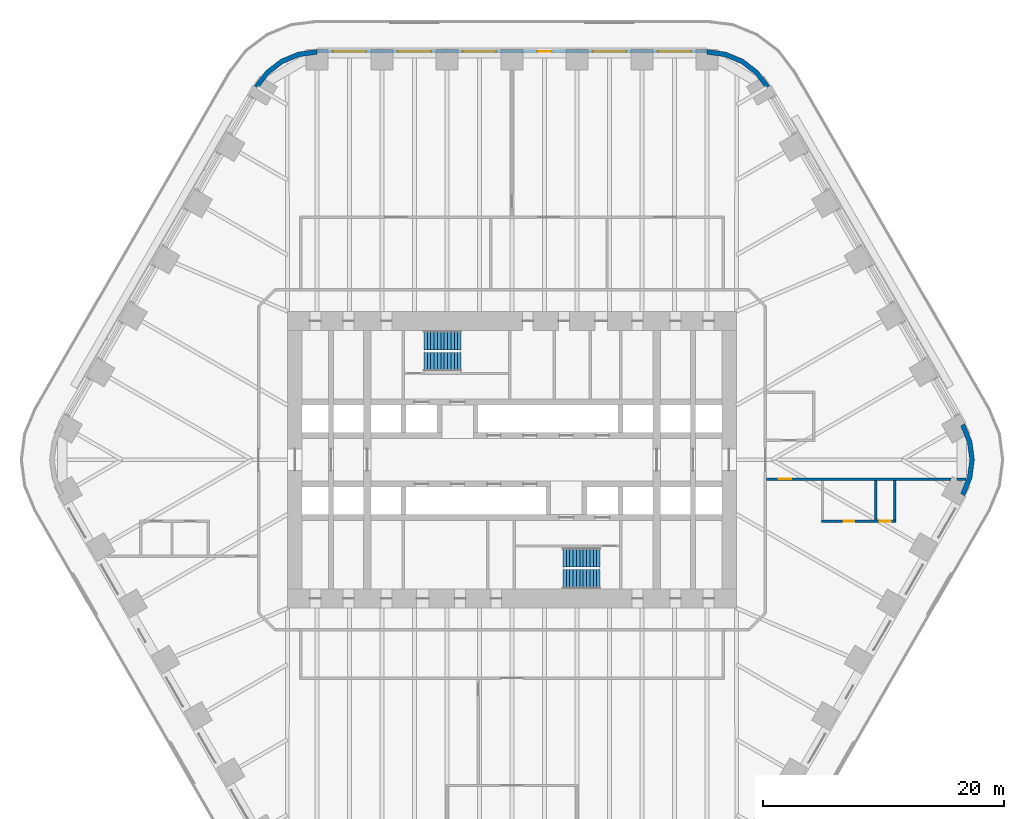
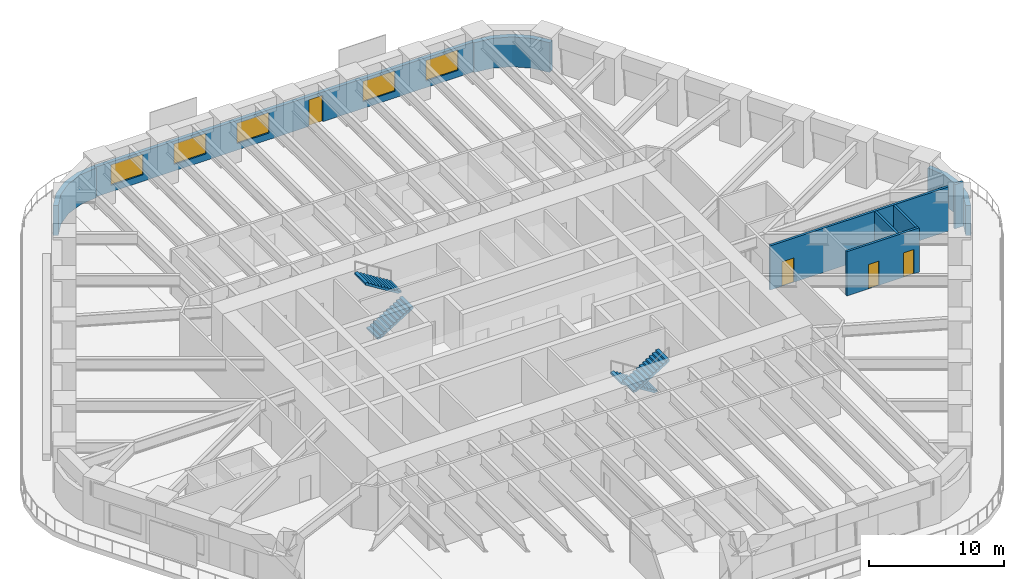
# One storey, part 20 of 23: 9 walls, 5 windows, 4 doors, 4 stair flights, 9 openings, 2 elements without a shape of their own.
"""IFC4 building model written with IfcOpenShell, lengths in metres."""

from ifc_helpers import new_model, si_unit, direction, frame, frame_2d, origin, place, context, subcontext, project, spatial, polyline, rectangle, outline, extrude, material, layer, layer_set, type_object, element, fill, aggregate, save


model = new_model("IFC4")

# Units and contexts
model_context = context("Model", 3, precision=1e-05, world=origin(), true_north=direction((0.0, 1.0)))
body_context = subcontext(model_context, "Body", "Model", "MODEL_VIEW")
ifc_project = project(units=[si_unit("LENGTHUNIT", "METRE"), si_unit("AREAUNIT", "SQUARE_METRE"), si_unit("VOLUMEUNIT", "CUBIC_METRE"), si_unit("PLANEANGLEUNIT", "RADIAN"), si_unit("MASSUNIT", "GRAM", prefix="KILO")], contexts=[model_context])

# Site, building, storey
site_placement = place(None, origin())
site = spatial("IfcSite", under=ifc_project, at=site_placement, CompositionType="ELEMENT")
building_placement = place(site_placement, origin())
building = spatial("IfcBuilding", under=site, at=building_placement, Name="Tarfa Lantern Tower", CompositionType="ELEMENT")
storey_placement = place(building_placement, frame((0.0, 0.0, 99.10009765625)))
storey = spatial("IfcBuildingStorey", under=building, at=storey_placement, Name="L22", CompositionType="ELEMENT", Elevation=99.10009765625)

# Wall, openings, door, windows
ifc_material_1 = material(Name="Limestone cladding on blockwork", Category="masonry")
ifc_layer_1 = layer(ifc_material_1, 0.300048828125)
ifc_layer_set_1 = layer_set([ifc_layer_1], Name="EW1 STONE-CLAD WALL 300")
wall_type_1 = type_object("IfcWallType", Name="EW1 STONE-CLAD WALL 300", PredefinedType="SOLIDWALL", material=ifc_layer_set_1)
wall_1_placement = place(storey_placement, frame((16.165771484375, 33.85009765625, 0.0), z_axis=(0.0, 0.0, 1.0), x_axis=(-1.0, 0.0, 0.0)))
wall_1 = element("IfcWall", 1, at=wall_1_placement, inside=storey, type_object=wall_type_1, Name="Stone wall N", PredefinedType="SOLIDWALL", context=body_context, shape_type="SweptSolid", body=[
    extrude(rectangle(XDim=32.33154296875, YDim=0.300048828125, at=frame_2d((16.165771484375, 0.0))), origin(), (0.0, 0.0, 1.0), 2.699951171875),
])
opening_1_placement = place(wall_1_placement, frame((1.3193359375, 0.0, 0.60009765625)))
opening_1 = element("IfcOpeningElement", 2, at=opening_1_placement, cuts=wall_1, Name="Opening W2", PredefinedType="OPENING", context=body_context, shape_type="SweptSolid", body=[
    extrude(rectangle(XDim=2.75, YDim=1.85009765625, at=frame_2d((1.375, 0.925048828125))), frame((0.0, 0.159912109375, 0.0), z_axis=(0.0, -1.0, 0.0), x_axis=(1.0, 0.0, 0.0)), (0.0, 0.0, 1.0), 0.320068359375),
])
opening_2_placement = place(wall_1_placement, frame((6.7080078125, 0.0, 0.60009765625)))
opening_2 = element("IfcOpeningElement", 3, at=opening_2_placement, cuts=wall_1, Name="Opening W2", PredefinedType="OPENING", context=body_context, shape_type="SweptSolid", body=[
    extrude(rectangle(XDim=2.75, YDim=1.85009765625, at=frame_2d((1.375, 0.925048828125))), frame((0.0, 0.159912109375, 0.0), z_axis=(0.0, -1.0, 0.0), x_axis=(1.0, 0.0, 0.0)), (0.0, 0.0, 1.0), 0.320068359375),
])
opening_3_placement = place(wall_1_placement, frame((12.87158203125, 0.0, 0.0)))
opening_3 = element("IfcOpeningElement", 4, at=opening_3_placement, cuts=wall_1, Name="Opening D45", PredefinedType="OPENING", context=body_context, shape_type="SweptSolid", body=[
    extrude(rectangle(XDim=1.199951171875, YDim=2.39990234375, at=frame_2d((0.60009765625, 1.199951171875))), frame((0.0, 0.159912109375, 0.0), z_axis=(0.0, -1.0, 0.0), x_axis=(1.0, 0.0, 0.0)), (0.0, 0.0, 1.0), 0.320068359375),
])
opening_4_placement = place(wall_1_placement, frame((17.485107421875, 0.0, 0.60009765625)))
opening_4 = element("IfcOpeningElement", 5, at=opening_4_placement, cuts=wall_1, Name="Opening W2", PredefinedType="OPENING", context=body_context, shape_type="SweptSolid", body=[
    extrude(rectangle(XDim=2.75, YDim=1.85009765625, at=frame_2d((1.375, 0.925048828125))), frame((0.0, 0.159912109375, 0.0), z_axis=(0.0, -1.0, 0.0), x_axis=(1.0, 0.0, 0.0)), (0.0, 0.0, 1.0), 0.320068359375),
])
opening_5_placement = place(wall_1_placement, frame((22.873779296875, 0.0, 0.60009765625)))
opening_5 = element("IfcOpeningElement", 6, at=opening_5_placement, cuts=wall_1, Name="Opening W2", PredefinedType="OPENING", context=body_context, shape_type="SweptSolid", body=[
    extrude(rectangle(XDim=2.75, YDim=1.85009765625, at=frame_2d((1.375, 0.925048828125))), frame((0.0, 0.159912109375, 0.0), z_axis=(0.0, -1.0, 0.0), x_axis=(1.0, 0.0, 0.0)), (0.0, 0.0, 1.0), 0.320068359375),
])
opening_6_placement = place(wall_1_placement, frame((28.26220703125, 0.0, 0.60009765625)))
opening_6 = element("IfcOpeningElement", 7, at=opening_6_placement, cuts=wall_1, Name="Opening W2", PredefinedType="OPENING", context=body_context, shape_type="SweptSolid", body=[
    extrude(rectangle(XDim=2.75, YDim=1.85009765625, at=frame_2d((1.375, 0.925048828125))), frame((0.0, 0.159912109375, 0.0), z_axis=(0.0, -1.0, 0.0), x_axis=(1.0, 0.0, 0.0)), (0.0, 0.0, 1.0), 0.320068359375),
])
ifc_material_2 = material(Name="Aluminium framed glazed door", Category="aluminium")
door_type_1 = type_object("IfcDoorType", Name="BE3 BALCONY DOOR 1200x2400", OperationType="SINGLE_SWING_RIGHT", PredefinedType="DOOR", material=ifc_material_2)
door_1_placement = place(opening_3_placement, origin())
door_1 = element("IfcDoor", 8, at=door_1_placement, inside=storey, type_object=door_type_1, Name="Balcony door N", OperationType="SINGLE_SWING_LEFT", OverallHeight=2.39990234375, OverallWidth=1.199951171875, PredefinedType="DOOR", context=body_context, shape_type="SweptSolid", body=[
    extrude(rectangle(XDim=1.199951171875, YDim=2.39990234375, at=frame_2d((0.60009765625, 1.199951171875))), frame((0.0, 0.02490234375, 0.0), z_axis=(0.0, -1.0, 0.0), x_axis=(1.0, 0.0, 0.0)), (0.0, 0.0, 1.0), 0.050048828125),
])
fill(opening_3, door_1)
ifc_material_3 = material(Name="Aluminium frame, double glazed", Category="aluminium")
window_type = type_object("IfcWindowType", Name="W2 FULL-HEIGHT GLAZING 2750x1850", PartitioningType="SINGLE_PANEL", PredefinedType="WINDOW", material=ifc_material_3)
window_1_placement = place(opening_1_placement, origin())
window_1 = element("IfcWindow", 9, at=window_1_placement, inside=storey, type_object=window_type, Name="Window N 1", OverallHeight=1.85009765625, OverallWidth=2.75, PartitioningType="SINGLE_PANEL", PredefinedType="WINDOW", context=body_context, shape_type="SweptSolid", body=[
    extrude(rectangle(XDim=2.75, YDim=1.85009765625, at=frame_2d((1.375, 0.925048828125))), frame((0.0, 0.030029296875, 0.0), z_axis=(0.0, -1.0, 0.0), x_axis=(1.0, 0.0, 0.0)), (0.0, 0.0, 1.0), 0.06005859375),
])
fill(opening_1, window_1)
window_2_placement = place(opening_2_placement, origin())
window_2 = element("IfcWindow", 10, at=window_2_placement, inside=storey, type_object=window_type, Name="Window N 2", OverallHeight=1.85009765625, OverallWidth=2.75, PartitioningType="SINGLE_PANEL", PredefinedType="WINDOW", context=body_context, shape_type="SweptSolid", body=[
    extrude(rectangle(XDim=2.75, YDim=1.85009765625, at=frame_2d((1.375, 0.925048828125))), frame((0.0, 0.030029296875, 0.0), z_axis=(0.0, -1.0, 0.0), x_axis=(1.0, 0.0, 0.0)), (0.0, 0.0, 1.0), 0.06005859375),
])
fill(opening_2, window_2)
window_3_placement = place(opening_4_placement, origin())
window_3 = element("IfcWindow", 11, at=window_3_placement, inside=storey, type_object=window_type, Name="Window N 4", OverallHeight=1.85009765625, OverallWidth=2.75, PartitioningType="SINGLE_PANEL", PredefinedType="WINDOW", context=body_context, shape_type="SweptSolid", body=[
    extrude(rectangle(XDim=2.75, YDim=1.85009765625, at=frame_2d((1.375, 0.925048828125))), frame((0.0, 0.030029296875, 0.0), z_axis=(0.0, -1.0, 0.0), x_axis=(1.0, 0.0, 0.0)), (0.0, 0.0, 1.0), 0.06005859375),
])
fill(opening_4, window_3)
window_4_placement = place(opening_5_placement, origin())
window_4 = element("IfcWindow", 12, at=window_4_placement, inside=storey, type_object=window_type, Name="Window N 5", OverallHeight=1.85009765625, OverallWidth=2.75, PartitioningType="SINGLE_PANEL", PredefinedType="WINDOW", context=body_context, shape_type="SweptSolid", body=[
    extrude(rectangle(XDim=2.75, YDim=1.85009765625, at=frame_2d((1.375, 0.925048828125))), frame((0.0, 0.030029296875, 0.0), z_axis=(0.0, -1.0, 0.0), x_axis=(1.0, 0.0, 0.0)), (0.0, 0.0, 1.0), 0.06005859375),
])
fill(opening_5, window_4)
window_5_placement = place(opening_6_placement, origin())
window_5 = element("IfcWindow", 13, at=window_5_placement, inside=storey, type_object=window_type, Name="Window N 6", OverallHeight=1.85009765625, OverallWidth=2.75, PartitioningType="SINGLE_PANEL", PredefinedType="WINDOW", context=body_context, shape_type="SweptSolid", body=[
    extrude(rectangle(XDim=2.75, YDim=1.85009765625, at=frame_2d((1.375, 0.925048828125))), frame((0.0, 0.030029296875, 0.0), z_axis=(0.0, -1.0, 0.0), x_axis=(1.0, 0.0, 0.0)), (0.0, 0.0, 1.0), 0.06005859375),
])
fill(opening_6, window_5)

# Walls
ifc_layer_2 = layer(ifc_material_1, 0.39990234375)
ifc_layer_set_2 = layer_set([ifc_layer_2], Name="EW2 CURVED STONE CORNER 400")
wall_type_2 = type_object("IfcWallType", Name="EW2 CURVED STONE CORNER 400", PredefinedType="SOLIDWALL", material=ifc_layer_set_2)
wall_2_placement = place(storey_placement, origin())
element("IfcWall", 14, at=wall_2_placement, inside=storey, type_object=wall_type_2, Name="Stone corner NE-N", PredefinedType="SOLIDWALL", context=body_context, shape_type="SweptSolid", body=[
    extrude(outline(polyline([(21.362060546875, 31.0), (20.408447265625, 32.24267578125), (19.165771484375, 33.196044921875), (17.71875, 33.795654296875), (16.165771484375, 34.0), (16.165771484375, 33.60009765625), (17.615234375, 33.4091796875), (18.9658203125, 32.849853515625), (20.12548828125, 31.959716796875), (21.015625, 30.800048828125), (21.362060546875, 31.0)])), origin(), (0.0, 0.0, 1.0), 2.699951171875),
])
wall_3_placement = place(storey_placement, origin())
element("IfcWall", 15, at=wall_3_placement, inside=storey, type_object=wall_type_2, Name="Stone corner N-NW", PredefinedType="SOLIDWALL", context=body_context, shape_type="SweptSolid", body=[
    extrude(outline(polyline([(-16.165771484375, 34.0), (-17.71875, 33.795654296875), (-19.165771484375, 33.196044921875), (-20.408447265625, 32.24267578125), (-21.362060546875, 31.0), (-21.015625, 30.800048828125), (-20.12548828125, 31.959716796875), (-18.9658203125, 32.849853515625), (-17.615234375, 33.4091796875), (-16.165771484375, 33.60009765625), (-16.165771484375, 34.0)])), origin(), (0.0, 0.0, 1.0), 2.699951171875),
])
wall_4_placement = place(storey_placement, origin())
element("IfcWall", 16, at=wall_4_placement, inside=storey, type_object=wall_type_2, Name="Stone corner SE-NE", PredefinedType="SOLIDWALL", context=body_context, shape_type="SweptSolid", body=[
    extrude(outline(polyline([(37.52783203125, -3.0), (38.127197265625, -1.552978515625), (38.33154296875, 0.0), (38.127197265625, 1.552978515625), (37.52783203125, 3.0), (37.181396484375, 2.800048828125), (37.74072265625, 1.449462890625), (37.931640625, 0.0), (37.74072265625, -1.449462890625), (37.181396484375, -2.800048828125), (37.52783203125, -3.0)])), origin(), (0.0, 0.0, 1.0), 2.699951171875),
])

# Wall, opening, door
ifc_material_4 = material(Name="Gypsum board on steel studs", Category="steel")
ifc_layer_3 = layer(ifc_material_4, 0.2099609375)
ifc_layer_set_3 = layer_set([ifc_layer_3], Name="IW2 ACOUSTIC PARTITION 200")
wall_type_3 = type_object("IfcWallType", Name="IW2 ACOUSTIC PARTITION 200", PredefinedType="PARTITIONING", material=ifc_layer_set_3)
wall_5_placement = place(storey_placement, frame((21.10009765625, -1.60009765625, 0.0), z_axis=(0.0, 0.0, 1.0), x_axis=(1.0, 0.0, 0.0)))
wall_5 = element("IfcWall", 17, at=wall_5_placement, inside=storey, type_object=wall_type_3, Name="Partition", PredefinedType="PARTITIONING", context=body_context, shape_type="SweptSolid", body=[
    extrude(rectangle(XDim=15.27294921875, YDim=0.199951171875, at=frame_2d((7.636474609375, 0.0))), origin(), (0.0, 0.0, 1.0), 4.0),
])
opening_7_placement = place(wall_5_placement, frame((1.02734375, 0.0, 0.0)))
opening_7 = element("IfcOpeningElement", 18, at=opening_7_placement, cuts=wall_5, Name="Opening D41", PredefinedType="OPENING", context=body_context, shape_type="SweptSolid", body=[
    extrude(rectangle(XDim=1.0, YDim=2.199951171875, at=frame_2d((0.5, 1.10009765625))), frame((0.0, 0.10986328125, 0.0), z_axis=(0.0, -1.0, 0.0), x_axis=(1.0, 0.0, 0.0)), (0.0, 0.0, 1.0), 0.219970703125),
])
ifc_material_5 = material(Name="Timber door", Category="wood")
door_type_2 = type_object("IfcDoorType", Name="DR1 ROOM DOOR 1000x2200", OperationType="SINGLE_SWING_LEFT", PredefinedType="DOOR", material=ifc_material_5)
door_2_placement = place(opening_7_placement, frame((1.0, 0.0, 0.0), z_axis=(0.0, 0.0, 1.0), x_axis=(-1.0, 0.0, 0.0)))
door_2 = element("IfcDoor", 19, at=door_2_placement, inside=storey, type_object=door_type_2, Name="Zone door", OperationType="SINGLE_SWING_LEFT", OverallHeight=2.199951171875, OverallWidth=1.0, PredefinedType="DOOR", context=body_context, shape_type="SweptSolid", body=[
    extrude(rectangle(XDim=1.0, YDim=2.199951171875, at=frame_2d((0.5, 1.10009765625))), frame((0.0, 0.02490234375, 0.0), z_axis=(0.0, -1.0, 0.0), x_axis=(1.0, 0.0, 0.0)), (0.0, 0.0, 1.0), 0.050048828125),
])
fill(opening_7, door_2)

# Wall
wall_6_placement = place(storey_placement, frame((36.90283203125, -1.60009765625, 0.0), z_axis=(0.0, 0.0, 1.0), x_axis=(1.0, 0.0, 0.0)))
element("IfcWall", 20, at=wall_6_placement, inside=storey, type_object=wall_type_3, Name="Partition", PredefinedType="PARTITIONING", context=body_context, shape_type="SweptSolid", body=[
    extrude(rectangle(XDim=0.734375, YDim=0.199951171875, at=frame_2d((0.3671875, 0.0))), origin(), (0.0, 0.0, 1.0), 4.0),
])

# Wall, openings, doors
wall_7_placement = place(storey_placement, frame((25.636474609375, -5.10009765625, 0.0), z_axis=(0.0, 0.0, 1.0), x_axis=(1.0, 0.0, 0.0)))
wall_7 = element("IfcWall", 21, at=wall_7_placement, inside=storey, type_object=wall_type_3, Name="Partition", PredefinedType="PARTITIONING", context=body_context, shape_type="SweptSolid", body=[
    extrude(rectangle(XDim=6.199951171875, YDim=0.199951171875, at=frame_2d((3.10009765625, 0.0))), origin(), (0.0, 0.0, 1.0), 4.0),
])
opening_8_placement = place(wall_7_placement, frame((1.85009765625, 0.0, 0.0)))
opening_8 = element("IfcOpeningElement", 22, at=opening_8_placement, cuts=wall_7, Name="Opening D35", PredefinedType="OPENING", context=body_context, shape_type="SweptSolid", body=[
    extrude(rectangle(XDim=0.89990234375, YDim=2.199951171875, at=frame_2d((0.449951171875, 1.10009765625))), frame((0.0, 0.10986328125, 0.0), z_axis=(0.0, -1.0, 0.0), x_axis=(1.0, 0.0, 0.0)), (0.0, 0.0, 1.0), 0.219970703125),
])
opening_9_placement = place(wall_7_placement, frame((4.85009765625, 0.0, 0.0)))
opening_9 = element("IfcOpeningElement", 23, at=opening_9_placement, cuts=wall_7, Name="Opening D36", PredefinedType="OPENING", context=body_context, shape_type="SweptSolid", body=[
    extrude(rectangle(XDim=0.89990234375, YDim=2.199951171875, at=frame_2d((0.449951171875, 1.10009765625))), frame((0.0, 0.10986328125, 0.0), z_axis=(0.0, -1.0, 0.0), x_axis=(1.0, 0.0, 0.0)), (0.0, 0.0, 1.0), 0.219970703125),
])
door_type_3 = type_object("IfcDoorType", Name="DR3 ROOM DOOR 900x2200", OperationType="SINGLE_SWING_LEFT", PredefinedType="DOOR", material=ifc_material_5)
door_3_placement = place(opening_8_placement, origin())
door_3 = element("IfcDoor", 24, at=door_3_placement, inside=storey, type_object=door_type_3, Name="Meeting room door", OperationType="SINGLE_SWING_RIGHT", OverallHeight=2.199951171875, OverallWidth=0.89990234375, PredefinedType="DOOR", context=body_context, shape_type="SweptSolid", body=[
    extrude(rectangle(XDim=0.89990234375, YDim=2.199951171875, at=frame_2d((0.449951171875, 1.10009765625))), frame((0.0, 0.02490234375, 0.0), z_axis=(0.0, -1.0, 0.0), x_axis=(1.0, 0.0, 0.0)), (0.0, 0.0, 1.0), 0.050048828125),
])
fill(opening_8, door_3)
door_4_placement = place(opening_9_placement, origin())
door_4 = element("IfcDoor", 25, at=door_4_placement, inside=storey, type_object=door_type_3, Name="Phone booth door", OperationType="SINGLE_SWING_LEFT", OverallHeight=2.199951171875, OverallWidth=0.89990234375, PredefinedType="DOOR", context=body_context, shape_type="SweptSolid", body=[
    extrude(rectangle(XDim=0.89990234375, YDim=2.199951171875, at=frame_2d((0.449951171875, 1.10009765625))), frame((0.0, 0.02490234375, 0.0), z_axis=(0.0, -1.0, 0.0), x_axis=(1.0, 0.0, 0.0)), (0.0, 0.0, 1.0), 0.050048828125),
])
fill(opening_9, door_4)

# Walls
for number, where, z_axis, x_axis, name in (
    (26, (30.136474609375, -1.699951171875, 0.0), (0.0, 0.0, 1.0), (0.0, -1.0, 0.0), "Partition"),
    (27, (31.736572265625, -1.699951171875, 0.0), (0.0, 0.0, 1.0), (0.0, -1.0, 0.0), "Partition"),
):
    element("IfcWall", number, at=place(storey_placement, frame(where, z_axis=z_axis, x_axis=x_axis)), inside=storey, type_object=wall_type_3, Name=name, PredefinedType="PARTITIONING", context=body_context, shape_type="SweptSolid", body=[
        extrude(rectangle(XDim=3.300048828125, YDim=0.199951171875, at=frame_2d((1.64990234375, 0.0))), origin(), (0.0, 0.0, 1.0), 4.0),
    ])

# Stair, stair flights
ifc_material_6 = material(Name="Concrete C40/50", Category="concrete")
stair_type = type_object("IfcStairType", Name="ST-T10 HALF-TURN STAIR 4200 RISE", PredefinedType="HALF_TURN_STAIR", material=ifc_material_6)
stair_1_placement = place(storey_placement, origin())
stair_1 = element("IfcStair", 28, at=stair_1_placement, inside=storey, type_object=stair_type, Name="Stair ST1", PredefinedType="HALF_TURN_STAIR")
stair_flight_type = type_object("IfcStairFlightType", Name="SF1 STAIR FLIGHT", PredefinedType="STRAIGHT", material=ifc_material_6)
stair_flight_1_placement = place(storey_placement, frame((-7.300048828125, 8.10009765625, 0.0), z_axis=(0.0, 0.0, 1.0), x_axis=(1.0, 0.0, 0.0)))
stair_flight_1 = element("IfcStairFlight", 29, at=stair_flight_1_placement, type_object=stair_flight_type, Name="ST1 flight 1", NumberOfRisers=12, NumberOfTreads=11, PredefinedType="STRAIGHT", RiserHeight=0.175, TreadLength=0.28, context=body_context, shape_type="SweptSolid", body=[
    extrude(outline(polyline([(0.0, 0.0), (0.0, 0.175048828125), (0.280029296875, 0.175048828125), (0.280029296875, 0.35009765625), (0.56005859375, 0.35009765625), (0.56005859375, 0.52490234375), (0.840087890625, 0.52490234375), (0.840087890625, 0.699951171875), (1.1201171875, 0.699951171875), (1.1201171875, 0.875), (1.39990234375, 0.875), (1.39990234375, 1.050048828125), (1.679931640625, 1.050048828125), (1.679931640625, 1.22509765625), (1.9599609375, 1.22509765625), (1.9599609375, 1.39990234375), (2.239990234375, 1.39990234375), (2.239990234375, 1.574951171875), (2.52001953125, 1.574951171875), (2.52001953125, 1.75), (2.800048828125, 1.75), (2.800048828125, 1.925048828125), (3.080078125, 1.925048828125), (3.080078125, 2.10009765625), (3.080078125, 1.748291015625), (0.28271484375, 0.0), (0.0, 0.0)])), frame((0.0, 0.800048828125, 0.0), z_axis=(0.0, -1.0, 0.0), x_axis=(1.0, 0.0, 0.0)), (0.0, 0.0, 1.0), 1.60009765625),
])
stair_flight_2_placement = place(storey_placement, frame((-4.219970703125, 9.89990234375, 2.099853515625), z_axis=(0.0, 0.0, 1.0), x_axis=(-1.0, 0.0, 0.0)))
stair_flight_2 = element("IfcStairFlight", 30, at=stair_flight_2_placement, type_object=stair_flight_type, Name="ST1 flight 2", NumberOfRisers=12, NumberOfTreads=11, PredefinedType="STRAIGHT", RiserHeight=0.175, TreadLength=0.28, context=body_context, shape_type="SweptSolid", body=[
    extrude(outline(polyline([(0.0, 0.0), (0.0, 0.175048828125), (0.280029296875, 0.175048828125), (0.280029296875, 0.35009765625), (0.56005859375, 0.35009765625), (0.56005859375, 0.52490234375), (0.840087890625, 0.52490234375), (0.840087890625, 0.699951171875), (1.1201171875, 0.699951171875), (1.1201171875, 0.875), (1.39990234375, 0.875), (1.39990234375, 1.050048828125), (1.679931640625, 1.050048828125), (1.679931640625, 1.22509765625), (1.9599609375, 1.22509765625), (1.9599609375, 1.39990234375), (2.239990234375, 1.39990234375), (2.239990234375, 1.574951171875), (2.52001953125, 1.574951171875), (2.52001953125, 1.75), (2.800048828125, 1.75), (2.800048828125, 1.925048828125), (3.080078125, 1.925048828125), (3.080078125, 2.10009765625), (3.080078125, 1.748291015625), (0.28271484375, 0.0), (0.0, 0.0)])), frame((0.0, 0.800048828125, 0.0), z_axis=(0.0, -1.0, 0.0), x_axis=(1.0, 0.0, 0.0)), (0.0, 0.0, 1.0), 1.60009765625),
])
aggregate(stair_1, [stair_flight_1, stair_flight_2])

stair_2_placement = place(storey_placement, origin())
stair_2 = element("IfcStair", 31, at=stair_2_placement, inside=storey, type_object=stair_type, Name="Stair ST2", PredefinedType="HALF_TURN_STAIR")
stair_flight_3_placement = place(storey_placement, frame((7.300048828125, -8.10009765625, 0.0), z_axis=(0.0, 0.0, 1.0), x_axis=(-1.0, 0.0, 0.0)))
stair_flight_3 = element("IfcStairFlight", 32, at=stair_flight_3_placement, type_object=stair_flight_type, Name="ST2 flight 1", NumberOfRisers=12, NumberOfTreads=11, PredefinedType="STRAIGHT", RiserHeight=0.175, TreadLength=0.28, context=body_context, shape_type="SweptSolid", body=[
    extrude(outline(polyline([(0.0, 0.0), (0.0, 0.175048828125), (0.280029296875, 0.175048828125), (0.280029296875, 0.35009765625), (0.56005859375, 0.35009765625), (0.56005859375, 0.52490234375), (0.840087890625, 0.52490234375), (0.840087890625, 0.699951171875), (1.1201171875, 0.699951171875), (1.1201171875, 0.875), (1.39990234375, 0.875), (1.39990234375, 1.050048828125), (1.679931640625, 1.050048828125), (1.679931640625, 1.22509765625), (1.9599609375, 1.22509765625), (1.9599609375, 1.39990234375), (2.239990234375, 1.39990234375), (2.239990234375, 1.574951171875), (2.52001953125, 1.574951171875), (2.52001953125, 1.75), (2.800048828125, 1.75), (2.800048828125, 1.925048828125), (3.080078125, 1.925048828125), (3.080078125, 2.10009765625), (3.080078125, 1.748291015625), (0.28271484375, 0.0), (0.0, 0.0)])), frame((0.0, 0.800048828125, 0.0), z_axis=(0.0, -1.0, 0.0), x_axis=(1.0, 0.0, 0.0)), (0.0, 0.0, 1.0), 1.60009765625),
])
stair_flight_4_placement = place(storey_placement, frame((4.219970703125, -9.89990234375, 2.099853515625), z_axis=(0.0, 0.0, 1.0), x_axis=(1.0, 0.0, 0.0)))
stair_flight_4 = element("IfcStairFlight", 33, at=stair_flight_4_placement, type_object=stair_flight_type, Name="ST2 flight 2", NumberOfRisers=12, NumberOfTreads=11, PredefinedType="STRAIGHT", RiserHeight=0.175, TreadLength=0.28, context=body_context, shape_type="SweptSolid", body=[
    extrude(outline(polyline([(0.0, 0.0), (0.0, 0.175048828125), (0.280029296875, 0.175048828125), (0.280029296875, 0.35009765625), (0.56005859375, 0.35009765625), (0.56005859375, 0.52490234375), (0.840087890625, 0.52490234375), (0.840087890625, 0.699951171875), (1.1201171875, 0.699951171875), (1.1201171875, 0.875), (1.39990234375, 0.875), (1.39990234375, 1.050048828125), (1.679931640625, 1.050048828125), (1.679931640625, 1.22509765625), (1.9599609375, 1.22509765625), (1.9599609375, 1.39990234375), (2.239990234375, 1.39990234375), (2.239990234375, 1.574951171875), (2.52001953125, 1.574951171875), (2.52001953125, 1.75), (2.800048828125, 1.75), (2.800048828125, 1.925048828125), (3.080078125, 1.925048828125), (3.080078125, 2.10009765625), (3.080078125, 1.748291015625), (0.28271484375, 0.0), (0.0, 0.0)])), frame((0.0, 0.800048828125, 0.0), z_axis=(0.0, -1.0, 0.0), x_axis=(1.0, 0.0, 0.0)), (0.0, 0.0, 1.0), 1.60009765625),
])
aggregate(stair_2, [stair_flight_3, stair_flight_4])

save(model, "model.ifc")
